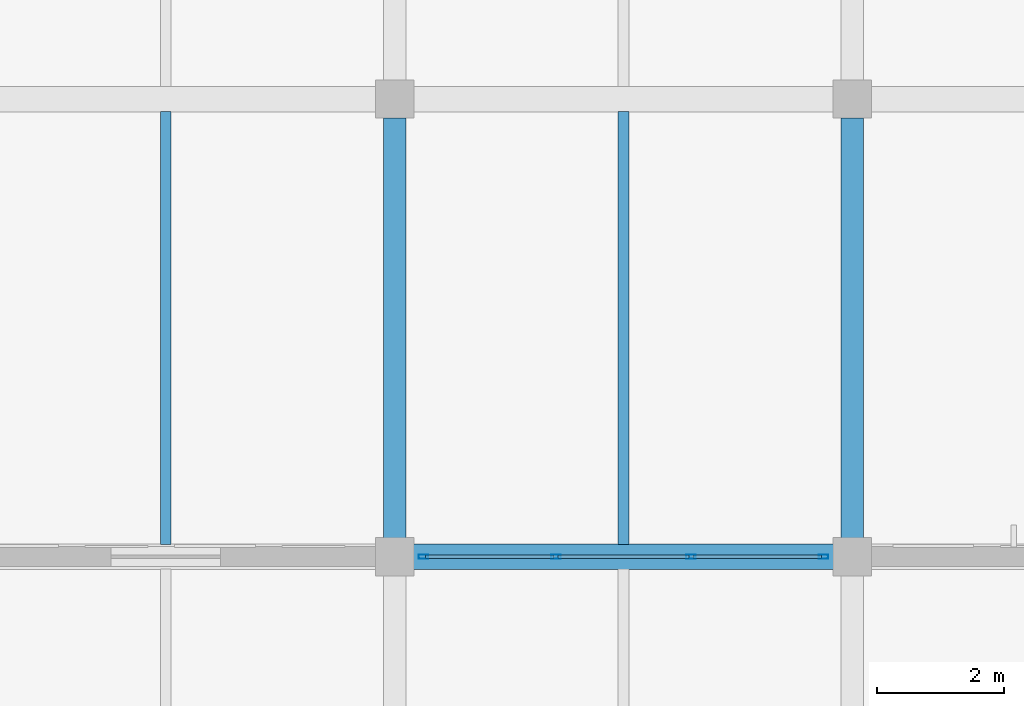
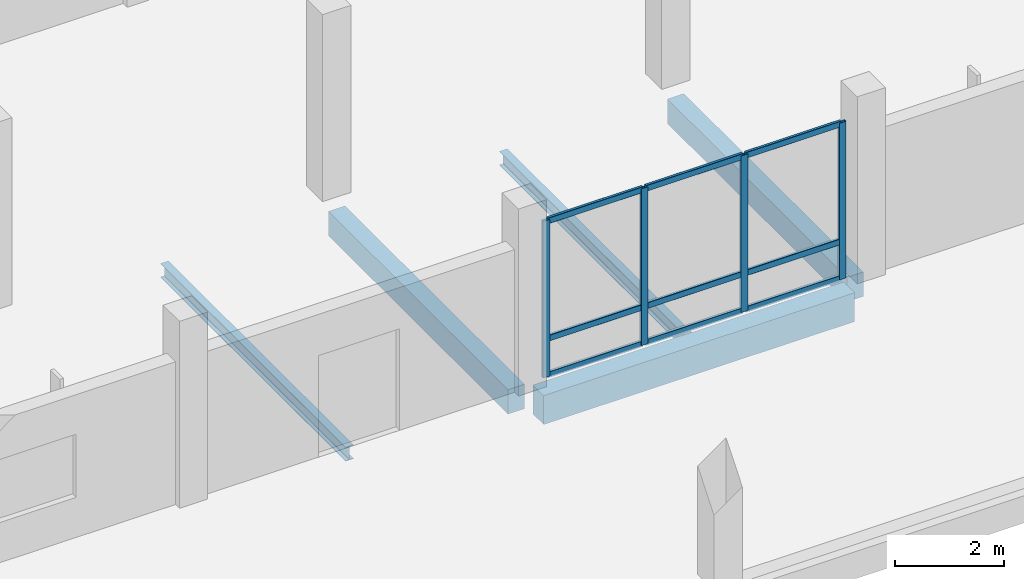
# One storey, part 102 of 158: 13 members, 5 beams, 1 element without a shape of its own.
"""IFC4 building model written with IfcOpenShell, lengths in metres."""

from ifc_helpers import new_model, si_unit, direction, frame, origin, origin_2d, place, context, subcontext, project, spatial, rectangle, hollow_rectangle, i_section, extrude, material, material_profile, profile_set, type_object, element, aggregate, save


model = new_model("IFC4")

# Units and contexts
model_context = context("Model", 3, precision=1e-05, world=origin(), true_north=direction((0.0, 1.0)))
body_context = subcontext(model_context, "Body", "Model", "MODEL_VIEW")
ifc_project = project(units=[si_unit("LENGTHUNIT", "METRE"), si_unit("AREAUNIT", "SQUARE_METRE"), si_unit("VOLUMEUNIT", "CUBIC_METRE"), si_unit("PLANEANGLEUNIT", "RADIAN"), si_unit("MASSUNIT", "GRAM", prefix="KILO")], contexts=[model_context])

# Site, building, storey
site_placement = place(None, origin())
site = spatial("IfcSite", under=ifc_project, at=site_placement, CompositionType="ELEMENT")
building_placement = place(site_placement, origin())
building = spatial("IfcBuilding", under=site, at=building_placement, Name="Lusvemor Sports Hall", CompositionType="ELEMENT")
storey_placement = place(building_placement, frame((0.0, 0.0, 10.800048828125)))
storey = spatial("IfcBuildingStorey", under=building, at=storey_placement, Name="L02", CompositionType="ELEMENT", Elevation=10.800048828125)

# Beams
ifc_material_1 = material(Name="Concrete C40/50", Category="concrete")
ifc_material_profile_1 = material_profile(ifc_material_1, rectangle(XDim=0.35009765625, YDim=0.550048828125, at=origin_2d()), Name="RC350x550")
ifc_profile_set_1 = profile_set([ifc_material_profile_1], Name="Concrete C40/50")
beam_type_1 = type_object("IfcBeamType", Name="BEAM_RC_550", PredefinedType="BEAM", material=ifc_profile_set_1)
for number, where, z_axis, x_axis, name in (
    (1, (147.60009765625, 83.095947265625, -0.53515625), (0.0, 1.0, 0.0), (-1.0, 0.0, 0.0), "Beam L02 17:L-M"),
    (2, (154.800048828125, 83.095947265625, -0.53515625), (0.0, 1.0, 0.0), (-1.0, 0.0, 0.0), "Beam L02 18:L-M"),
):
    element("IfcBeam", number, at=place(storey_placement, frame(where, z_axis=z_axis, x_axis=x_axis)), inside=storey, type_object=beam_type_1, Name=name, PredefinedType="BEAM", context=body_context, shape_type="SweptSolid", body=[
        extrude(rectangle(XDim=0.35009765625, YDim=0.550048828125, at=origin_2d()), origin(), (0.0, 0.0, 1.0), 6.608154296875),
    ])
ifc_material_2 = material(Name="Concrete C40/50", Category="concrete")
ifc_material_profile_2 = material_profile(ifc_material_2, rectangle(XDim=0.39990234375, YDim=0.64990234375, at=origin_2d()), Name="RC400x650")
ifc_profile_set_2 = profile_set([ifc_material_profile_2], Name="Concrete C40/50")
beam_type_2 = type_object("IfcBeamType", Name="BEAM_RC_650", PredefinedType="BEAM", material=ifc_profile_set_2)
beam_placement = place(storey_placement, frame((147.89599609375, 82.800048828125, -0.5849609375), z_axis=(1.0, 0.0, 0.0), x_axis=(0.0, 1.0, 0.0)))
element("IfcBeam", 3, at=beam_placement, inside=storey, type_object=beam_type_2, Name="Beam L02 L:17-18", PredefinedType="BEAM", context=body_context, shape_type="SweptSolid", body=[
    extrude(rectangle(XDim=0.39990234375, YDim=0.64990234375, at=origin_2d()), origin(), (0.0, 0.0, 1.0), 6.60791015625),
])

# Curtain wall, members
ifc_material_3 = material(Name="Thermally broken bronze-anodized aluminium", Category="aluminium")
curtain_wall_type = type_object("IfcCurtainWallType", Name="CW_WING_B", PredefinedType="NOTDEFINED", material=ifc_material_3)
curtain_wall_placement = place(storey_placement, origin())
curtain_wall = element("IfcCurtainWall", 4, at=curtain_wall_placement, inside=storey, type_object=curtain_wall_type, Name="Curtain Wall CW-L02-N-4-2", PredefinedType="NOTDEFINED")
ifc_material_4 = material(Name="Thermally broken bronze-anodized aluminium", Category="aluminium")
ifc_material_profile_3 = material_profile(ifc_material_4, hollow_rectangle(XDim=0.06494140625, YDim=0.14990234375, WallThickness=0.00390625, InnerFilletRadius=0.00390625, OuterFilletRadius=0.008056640625, at=origin_2d()), Name="CWMUL150x65x4")
ifc_profile_set_3 = profile_set([ifc_material_profile_3], Name="Thermally broken bronze-anodized aluminium")
member_type_1 = type_object("IfcMemberType", Name="CW_MUL_B", PredefinedType="MULLION", material=ifc_profile_set_3)
member_1_placement = place(storey_placement, frame((148.052490234375, 82.800048828125, 0.0), z_axis=(0.0, 0.0, 1.0), x_axis=(0.0, 1.0, 0.0)))
member_1 = element("IfcMember", 5, at=member_1_placement, type_object=member_type_1, Name="CW02 mullion 1", PredefinedType="MULLION", context=body_context, shape_type="SweptSolid", body=[
    extrude(hollow_rectangle(XDim=0.06494140625, YDim=0.14990234375, WallThickness=0.00390625, InnerFilletRadius=0.00390625, OuterFilletRadius=0.008056640625, at=origin_2d()), origin(), (0.0, 0.0, 1.0), 3.52001953125),
])
member_2_placement = place(storey_placement, frame((150.139892578125, 82.800048828125, 0.0), z_axis=(0.0, 0.0, 1.0), x_axis=(0.0, 1.0, 0.0)))
member_2 = element("IfcMember", 6, at=member_2_placement, type_object=member_type_1, Name="CW02 mullion 2", PredefinedType="MULLION", context=body_context, shape_type="SweptSolid", body=[
    extrude(hollow_rectangle(XDim=0.06494140625, YDim=0.14990234375, WallThickness=0.00390625, InnerFilletRadius=0.00390625, OuterFilletRadius=0.008056640625, at=origin_2d()), origin(), (0.0, 0.0, 1.0), 3.52001953125),
])
member_3_placement = place(storey_placement, frame((152.260009765625, 82.800048828125, 0.0), z_axis=(0.0, 0.0, 1.0), x_axis=(0.0, 1.0, 0.0)))
member_3 = element("IfcMember", 7, at=member_3_placement, type_object=member_type_1, Name="CW02 mullion 3", PredefinedType="MULLION", context=body_context, shape_type="SweptSolid", body=[
    extrude(hollow_rectangle(XDim=0.06494140625, YDim=0.14990234375, WallThickness=0.00390625, InnerFilletRadius=0.00390625, OuterFilletRadius=0.008056640625, at=origin_2d()), origin(), (0.0, 0.0, 1.0), 3.52001953125),
])
member_4_placement = place(storey_placement, frame((154.347412109375, 82.800048828125, 0.0), z_axis=(0.0, 0.0, 1.0), x_axis=(0.0, 1.0, 0.0)))
member_4 = element("IfcMember", 8, at=member_4_placement, type_object=member_type_1, Name="CW02 mullion 4", PredefinedType="MULLION", context=body_context, shape_type="SweptSolid", body=[
    extrude(hollow_rectangle(XDim=0.06494140625, YDim=0.14990234375, WallThickness=0.00390625, InnerFilletRadius=0.00390625, OuterFilletRadius=0.008056640625, at=origin_2d()), origin(), (0.0, 0.0, 1.0), 3.52001953125),
])
ifc_material_5 = material(Name="Thermally broken bronze-anodized aluminium", Category="aluminium")
ifc_material_profile_4 = material_profile(ifc_material_5, hollow_rectangle(XDim=0.06005859375, YDim=0.135009765625, WallThickness=0.00390625, InnerFilletRadius=0.00390625, OuterFilletRadius=0.008056640625, at=origin_2d()), Name="CWTRN135x60x4")
ifc_profile_set_4 = profile_set([ifc_material_profile_4], Name="Thermally broken bronze-anodized aluminium")
member_type_2 = type_object("IfcMemberType", Name="CW_TRN_B", PredefinedType="USERDEFINED", material=ifc_profile_set_4)
member_5_placement = place(storey_placement, frame((148.0849609375, 82.800048828125, 0.030029296875), z_axis=(1.0, 0.0, 0.0), x_axis=(0.0, 1.0, 0.0)))
member_5 = element("IfcMember", 9, at=member_5_placement, type_object=member_type_2, Name="CW02 transom 1.1", ObjectType="TRANSOM", PredefinedType="USERDEFINED", context=body_context, shape_type="SweptSolid", body=[
    extrude(hollow_rectangle(XDim=0.06005859375, YDim=0.135009765625, WallThickness=0.00390625, InnerFilletRadius=0.00390625, OuterFilletRadius=0.008056640625, at=origin_2d()), origin(), (0.0, 0.0, 1.0), 2.0224609375),
])
member_6_placement = place(storey_placement, frame((148.0849609375, 82.800048828125, 0.849853515625), z_axis=(1.0, 0.0, 0.0), x_axis=(0.0, 1.0, 0.0)))
member_6 = element("IfcMember", 10, at=member_6_placement, type_object=member_type_2, Name="CW02 transom 1.2", ObjectType="TRANSOM", PredefinedType="USERDEFINED", context=body_context, shape_type="SweptSolid", body=[
    extrude(hollow_rectangle(XDim=0.06005859375, YDim=0.135009765625, WallThickness=0.00390625, InnerFilletRadius=0.00390625, OuterFilletRadius=0.008056640625, at=origin_2d()), origin(), (0.0, 0.0, 1.0), 2.0224609375),
])
member_7_placement = place(storey_placement, frame((148.0849609375, 82.800048828125, 3.489990234375), z_axis=(1.0, 0.0, 0.0), x_axis=(0.0, 1.0, 0.0)))
member_7 = element("IfcMember", 11, at=member_7_placement, type_object=member_type_2, Name="CW02 transom 1.3", ObjectType="TRANSOM", PredefinedType="USERDEFINED", context=body_context, shape_type="SweptSolid", body=[
    extrude(hollow_rectangle(XDim=0.06005859375, YDim=0.135009765625, WallThickness=0.00390625, InnerFilletRadius=0.00390625, OuterFilletRadius=0.008056640625, at=origin_2d()), origin(), (0.0, 0.0, 1.0), 2.0224609375),
])
member_8_placement = place(storey_placement, frame((150.172607421875, 82.800048828125, 0.030029296875), z_axis=(1.0, 0.0, 0.0), x_axis=(0.0, 1.0, 0.0)))
member_8 = element("IfcMember", 12, at=member_8_placement, type_object=member_type_2, Name="CW02 transom 2.1", ObjectType="TRANSOM", PredefinedType="USERDEFINED", context=body_context, shape_type="SweptSolid", body=[
    extrude(hollow_rectangle(XDim=0.06005859375, YDim=0.135009765625, WallThickness=0.00390625, InnerFilletRadius=0.00390625, OuterFilletRadius=0.008056640625, at=origin_2d()), origin(), (0.0, 0.0, 1.0), 2.054931640625),
])
member_9_placement = place(storey_placement, frame((150.172607421875, 82.800048828125, 0.849853515625), z_axis=(1.0, 0.0, 0.0), x_axis=(0.0, 1.0, 0.0)))
member_9 = element("IfcMember", 13, at=member_9_placement, type_object=member_type_2, Name="CW02 transom 2.2", ObjectType="TRANSOM", PredefinedType="USERDEFINED", context=body_context, shape_type="SweptSolid", body=[
    extrude(hollow_rectangle(XDim=0.06005859375, YDim=0.135009765625, WallThickness=0.00390625, InnerFilletRadius=0.00390625, OuterFilletRadius=0.008056640625, at=origin_2d()), origin(), (0.0, 0.0, 1.0), 2.054931640625),
])
member_10_placement = place(storey_placement, frame((150.172607421875, 82.800048828125, 3.489990234375), z_axis=(1.0, 0.0, 0.0), x_axis=(0.0, 1.0, 0.0)))
member_10 = element("IfcMember", 14, at=member_10_placement, type_object=member_type_2, Name="CW02 transom 2.3", ObjectType="TRANSOM", PredefinedType="USERDEFINED", context=body_context, shape_type="SweptSolid", body=[
    extrude(hollow_rectangle(XDim=0.06005859375, YDim=0.135009765625, WallThickness=0.00390625, InnerFilletRadius=0.00390625, OuterFilletRadius=0.008056640625, at=origin_2d()), origin(), (0.0, 0.0, 1.0), 2.054931640625),
])
member_11_placement = place(storey_placement, frame((152.29248046875, 82.800048828125, 0.030029296875), z_axis=(1.0, 0.0, 0.0), x_axis=(0.0, 1.0, 0.0)))
member_11 = element("IfcMember", 15, at=member_11_placement, type_object=member_type_2, Name="CW02 transom 3.1", ObjectType="TRANSOM", PredefinedType="USERDEFINED", context=body_context, shape_type="SweptSolid", body=[
    extrude(hollow_rectangle(XDim=0.06005859375, YDim=0.135009765625, WallThickness=0.00390625, InnerFilletRadius=0.00390625, OuterFilletRadius=0.008056640625, at=origin_2d()), origin(), (0.0, 0.0, 1.0), 2.0224609375),
])
member_12_placement = place(storey_placement, frame((152.29248046875, 82.800048828125, 0.849853515625), z_axis=(1.0, 0.0, 0.0), x_axis=(0.0, 1.0, 0.0)))
member_12 = element("IfcMember", 16, at=member_12_placement, type_object=member_type_2, Name="CW02 transom 3.2", ObjectType="TRANSOM", PredefinedType="USERDEFINED", context=body_context, shape_type="SweptSolid", body=[
    extrude(hollow_rectangle(XDim=0.06005859375, YDim=0.135009765625, WallThickness=0.00390625, InnerFilletRadius=0.00390625, OuterFilletRadius=0.008056640625, at=origin_2d()), origin(), (0.0, 0.0, 1.0), 2.0224609375),
])
member_13_placement = place(storey_placement, frame((152.29248046875, 82.800048828125, 3.489990234375), z_axis=(1.0, 0.0, 0.0), x_axis=(0.0, 1.0, 0.0)))
member_13 = element("IfcMember", 17, at=member_13_placement, type_object=member_type_2, Name="CW02 transom 3.3", ObjectType="TRANSOM", PredefinedType="USERDEFINED", context=body_context, shape_type="SweptSolid", body=[
    extrude(hollow_rectangle(XDim=0.06005859375, YDim=0.135009765625, WallThickness=0.00390625, InnerFilletRadius=0.00390625, OuterFilletRadius=0.008056640625, at=origin_2d()), origin(), (0.0, 0.0, 1.0), 2.0224609375),
])
aggregate(curtain_wall, [member_1, member_2, member_3, member_4, member_5, member_6, member_7, member_8, member_9, member_10, member_11, member_12, member_13])

# Beams
ifc_material_6 = material(Name="Steel S355", Category="steel")
ifc_material_profile_5 = material_profile(ifc_material_6, i_section(OverallWidth=0.1669921875, OverallDepth=0.31689453125, WebThickness=0.007568359375, FlangeThickness=0.01318359375, FilletRadius=0.014892578125, at=origin_2d()), Name="W310x52.0")
ifc_profile_set_5 = profile_set([ifc_material_profile_5], Name="Steel S355")
beam_type_3 = type_object("IfcBeamType", Name="JOIST_ST_310M", PredefinedType="JOIST", material=ifc_profile_set_5)
for number, where, z_axis, x_axis, name in (
    (18, (144.0, 82.99609375, -0.422607421875), (0.0, 1.0, 0.0), (-1.0, 0.0, 0.0), "Secondary Joist L02 16-17/L-M #1"),
    (19, (151.199951171875, 82.99609375, -0.422607421875), (0.0, 1.0, 0.0), (-1.0, 0.0, 0.0), "Secondary Joist L02 17-18/L-M #1"),
):
    element("IfcBeam", number, at=place(storey_placement, frame(where, z_axis=z_axis, x_axis=x_axis)), inside=storey, type_object=beam_type_3, Name=name, PredefinedType="JOIST", context=body_context, shape_type="SweptSolid", body=[
        extrude(i_section(OverallWidth=0.1669921875, OverallDepth=0.31689453125, WebThickness=0.007568359375, FlangeThickness=0.01318359375, FilletRadius=0.014892578125, at=origin_2d()), origin(), (0.0, 0.0, 1.0), 6.807861328125),
    ])

save(model, "model.ifc")
